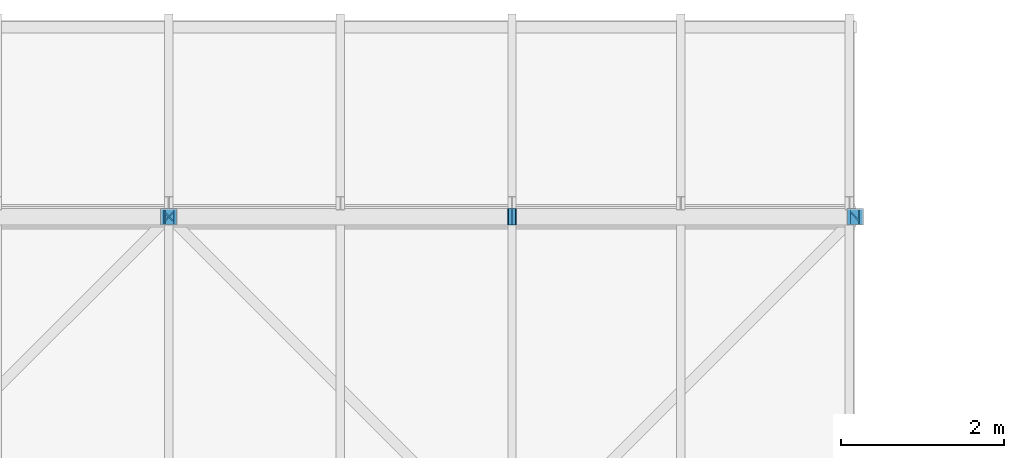
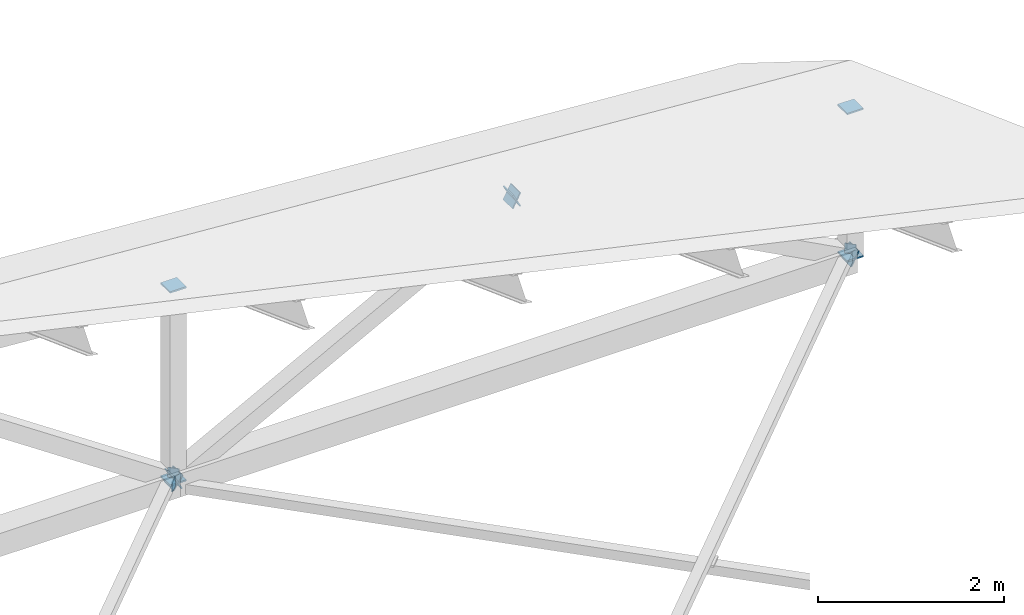
# One storey, part 67 of 76: 12 discrete accessories.
"""IFC4 building model written with IfcOpenShell, lengths in metres."""

from ifc_helpers import new_model, si_unit, direction, frame, origin, origin_2d, place, context, subcontext, project, spatial, rectangle, extrude, material, element, save


model = new_model("IFC4")

# Units and contexts
model_context = context("Model", 3, precision=1e-05, world=origin(), true_north=direction((0.0, 1.0)))
body_context = subcontext(model_context, "Body", "Model", "MODEL_VIEW")
ifc_project = project(units=[si_unit("LENGTHUNIT", "METRE"), si_unit("AREAUNIT", "SQUARE_METRE"), si_unit("VOLUMEUNIT", "CUBIC_METRE"), si_unit("PLANEANGLEUNIT", "RADIAN"), si_unit("MASSUNIT", "GRAM", prefix="KILO")], contexts=[model_context])

# Site, building, storey
site_placement = place(None, origin())
site = spatial("IfcSite", under=ifc_project, at=site_placement, CompositionType="ELEMENT")
building_placement = place(site_placement, origin())
building = spatial("IfcBuilding", under=site, at=building_placement, Name="Hlaing Beacon Police Headquarters", CompositionType="ELEMENT")
storey_placement = place(building_placement, frame((0.0, 0.0, 18.89990234375)))
storey = spatial("IfcBuildingStorey", under=building, at=storey_placement, Name="L04", CompositionType="ELEMENT", Elevation=18.89990234375)

# Discrete accessories
ifc_material = material(Name="Steel ASTM A572 Grade 50", Category="steel")
for number, where, z_axis, x_axis, name in (
    (1, (58.800048828125, 92.39990234375, -2.53759765625), (0.0, 0.0, -1.0), (1.0, 0.0, 0.0), "Gusset plate GP-473"),
    (2, (58.800048828125, 92.39990234375, -0.025634765625), (0.0, 0.0, 1.0), (1.0, 0.0, 0.0), "Gusset plate GP-474"),
    (3, (67.199951171875, 92.39990234375, -2.53759765625), (0.0, 0.0, -1.0), (1.0, 0.0, 0.0), "Gusset plate GP-475"),
    (4, (67.199951171875, 92.39990234375, -0.625732421875), (0.0, 0.0, 1.0), (1.0, 0.0, 0.0), "Gusset plate GP-476"),
):
    element("IfcDiscreteAccessory", number, at=place(storey_placement, frame(where, z_axis=z_axis, x_axis=x_axis)), inside=storey, material=ifc_material, Name=name, PredefinedType="BRACKET", context=body_context, shape_type="SweptSolid", body=[
        extrude(rectangle(XDim=0.203125, YDim=0.203125, at=origin_2d()), origin(), (0.0, 0.0, 1.0), 0.02001953125),
    ])
for number, where, z_axis, x_axis, name in (
    (5, (58.79345703125, 92.39990234375, -2.543212890625), (0.829139670788, 0.0, -0.5590415068), (0.0, 1.0, 0.0), "Gusset plate GP-488"),
    (6, (58.80712890625, 92.39990234375, -2.5439453125), (-0.883053903014, 0.0, -0.469271567828), (0.0, -1.0, 0.0), "Gusset plate GP-489"),
    (7, (62.992919921875, 92.39990234375, -0.3193359375), (0.883053903014, 0.0, 0.469271567828), (0.0, 1.0, 0.0), "Gusset plate GP-490"),
    (8, (63.007080078125, 92.39990234375, -0.3193359375), (-0.883053903014, 0.0, 0.469271567828), (0.0, -1.0, 0.0), "Gusset plate GP-491"),
    (9, (67.19287109375, 92.39990234375, -2.5439453125), (0.883053903014, 0.0, -0.469271567828), (0.0, 1.0, 0.0), "Gusset plate GP-492"),
):
    element("IfcDiscreteAccessory", number, at=place(storey_placement, frame(where, z_axis=z_axis, x_axis=x_axis)), inside=storey, material=ifc_material, Name=name, PredefinedType="BRACKET", context=body_context, shape_type="SweptSolid", body=[
        extrude(rectangle(XDim=0.203125, YDim=0.203125, at=origin_2d()), origin(), (0.0, 0.0, 1.0), 0.01611328125),
    ])
for number, where, z_axis, x_axis, name in (
    (10, (58.7958984375, 92.395751953125, -2.47412109375), (0.707117056885, 0.707096505339, 0.0), (-0.707096505339, 0.707117056885, 0.0), "Gusset plate GP-514"),
    (11, (67.195556640625, 92.3955078125, -2.47412109375), (0.707106781187, 0.707106781187, 0.0), (-0.707106781187, 0.707106781187, 0.0), "Gusset plate GP-516"),
    (12, (58.80419921875, 92.395751953125, -2.62109375), (-0.707106781187, 0.707106781187, 0.0), (-0.707106781187, -0.707106781187, 0.0), "Gusset plate GP-517"),
):
    element("IfcDiscreteAccessory", number, at=place(storey_placement, frame(where, z_axis=z_axis, x_axis=x_axis)), inside=storey, material=ifc_material, Name=name, PredefinedType="BRACKET", context=body_context, shape_type="SweptSolid", body=[
        extrude(rectangle(XDim=0.126953125, YDim=0.126953125, at=origin_2d()), origin(), (0.0, 0.0, 1.0), 0.011962890625),
    ])

save(model, "model.ifc")
